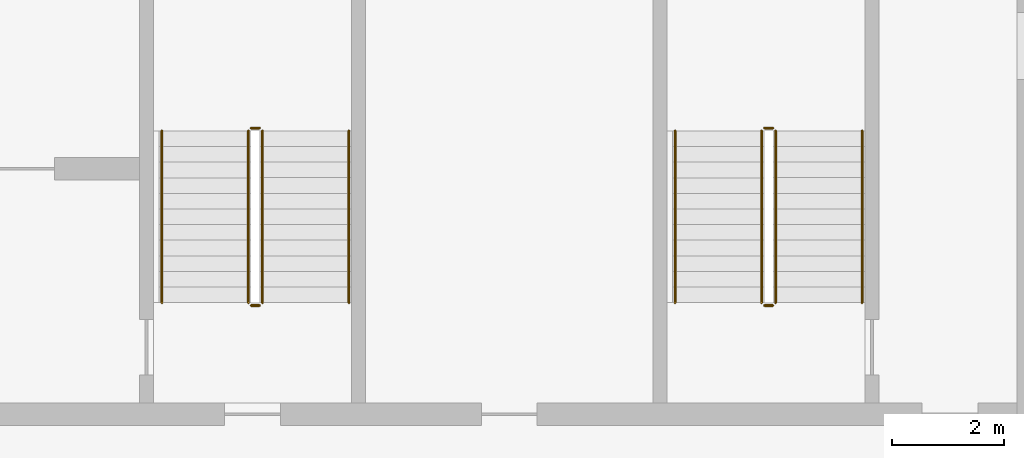
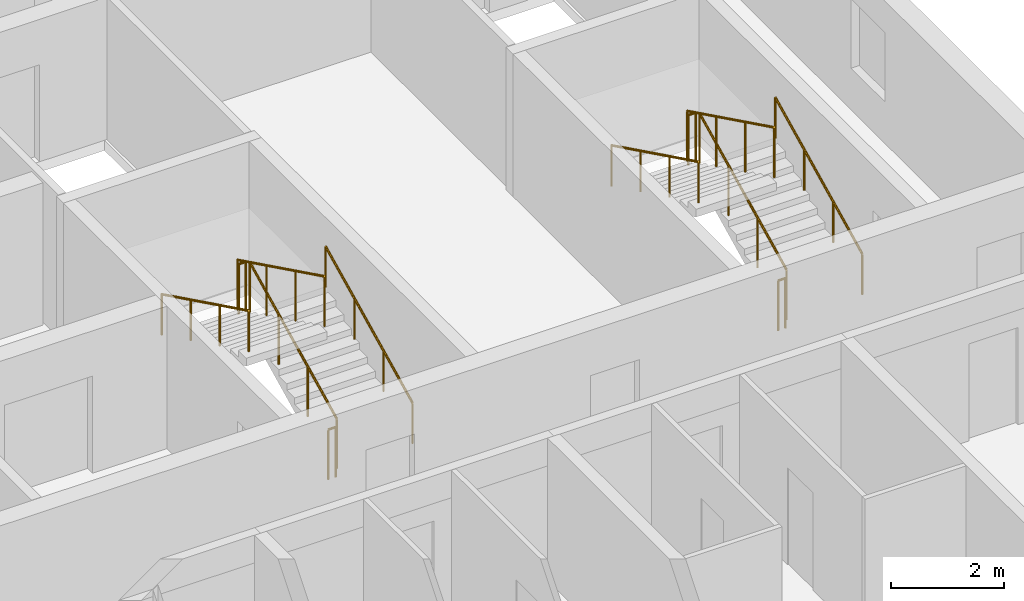
# One storey, part 14 of 26: 12 railings.
"""IFC4 building model written with IfcOpenShell, lengths in metres."""

from ifc_helpers import new_model, si_unit, direction, frame, origin, origin_2d, place, context, subcontext, project, spatial, circle, extrude, material, type_object, element, save


model = new_model("IFC4")

# Units and contexts
model_context = context("Model", 3, precision=1e-05, world=origin(), true_north=direction((0.0, 1.0)))
body_context = subcontext(model_context, "Body", "Model", "MODEL_VIEW")
ifc_project = project(units=[si_unit("LENGTHUNIT", "METRE"), si_unit("AREAUNIT", "SQUARE_METRE"), si_unit("VOLUMEUNIT", "CUBIC_METRE"), si_unit("PLANEANGLEUNIT", "RADIAN"), si_unit("MASSUNIT", "GRAM", prefix="KILO")], contexts=[model_context])

# Site, building, storey
site_placement = place(None, origin())
site = spatial("IfcSite", under=ifc_project, at=site_placement, CompositionType="ELEMENT")
building_placement = place(site_placement, origin())
building = spatial("IfcBuilding", under=site, at=building_placement, Name="Poui Terraces", CompositionType="ELEMENT")
storey_placement = place(building_placement, frame((0.0, 0.0, 171.89990234375)))
storey = spatial("IfcBuildingStorey", under=building, at=storey_placement, Name="L47", CompositionType="ELEMENT", Elevation=171.89990234375)

# Railings
ifc_material_1 = material(Name="Galvanised steel balustrade", Category="steel")
railing_type_1 = type_object("IfcRailingType", Name="STAIR GUARD 1100", PredefinedType="GUARDRAIL", material=ifc_material_1)
railing_1_placement = place(storey_placement, frame((70.27490234375, 16.60009765625, 0.1376953125)))
element("IfcRailing", 1, at=railing_1_placement, inside=storey, type_object=railing_type_1, Name="L47 ST-CE stair guard 1", PredefinedType="GUARDRAIL", context=body_context, shape_type="SweptSolid", body=[
    extrude(circle(Radius=0.02392578125, at=origin_2d()), frame((0.0, 0.0, 1.076171875), z_axis=(0.0, 0.897606190399, 0.440798283751), x_axis=(-1.0, 0.0, 0.0)), (0.0, 0.0, 1.0), 3.43115234375),
    extrude(circle(Radius=0.02099609375, at=origin_2d()), origin(), (0.0, 0.0, 1.0), 1.052001953125),
    extrude(circle(Radius=0.02099609375, at=origin_2d()), frame((0.0, 1.026611328125, 0.504150390625)), (0.0, 0.0, 1.0), 1.052001953125),
    extrude(circle(Radius=0.02099609375, at=origin_2d()), frame((0.0, 2.05322265625, 1.00830078125)), (0.0, 0.0, 1.0), 1.052001953125),
    extrude(circle(Radius=0.02099609375, at=origin_2d()), frame((0.0, 3.079833984375, 1.512451171875)), (0.0, 0.0, 1.0), 1.052001953125),
])
railing_2_placement = place(storey_placement, frame((70.22509765625, 19.72998046875, 1.650146484375)))
element("IfcRailing", 2, at=railing_2_placement, inside=storey, type_object=railing_type_1, Name="L47 ST-CE stair guard 2", PredefinedType="GUARDRAIL", context=body_context, shape_type="SweptSolid", body=[
    extrude(circle(Radius=0.02392578125, at=origin_2d()), frame((0.0, 0.0, 1.076171875), z_axis=(-1.0, 0.0, 0.0), x_axis=(0.0, -1.0, 0.0)), (0.0, 0.0, 1.0), 0.150146484375),
    extrude(circle(Radius=0.02099609375, at=origin_2d()), origin(), (0.0, 0.0, 1.0), 1.052001953125),
    extrude(circle(Radius=0.02099609375, at=origin_2d()), frame((-0.150146484375, 0.0, 0.0)), (0.0, 0.0, 1.0), 1.052001953125),
])
railing_3_placement = place(storey_placement, frame((70.02490234375, 19.679931640625, 1.78759765625)))
element("IfcRailing", 3, at=railing_3_placement, inside=storey, type_object=railing_type_1, Name="L47 ST-CE stair guard 3", PredefinedType="GUARDRAIL", context=body_context, shape_type="SweptSolid", body=[
    extrude(circle(Radius=0.02392578125, at=origin_2d()), frame((0.0, 0.0, 1.076171875), z_axis=(0.0, -0.897606190399, 0.440798283751), x_axis=(1.0, 0.0, 0.0)), (0.0, 0.0, 1.0), 3.43115234375),
    extrude(circle(Radius=0.02099609375, at=origin_2d()), origin(), (0.0, 0.0, 1.0), 1.052001953125),
    extrude(circle(Radius=0.02099609375, at=origin_2d()), frame((0.0, -1.026611328125, 0.504150390625)), (0.0, 0.0, 1.0), 1.052001953125),
    extrude(circle(Radius=0.02099609375, at=origin_2d()), frame((0.0, -2.05322265625, 1.00830078125)), (0.0, 0.0, 1.0), 1.052001953125),
    extrude(circle(Radius=0.02099609375, at=origin_2d()), frame((0.0, -3.079833984375, 1.512451171875)), (0.0, 0.0, 1.0), 1.052001953125),
])
railing_4_placement = place(storey_placement, frame((70.22509765625, 16.550048828125, 0.0)))
element("IfcRailing", 4, at=railing_4_placement, inside=storey, type_object=railing_type_1, Name="L47 ST-CE stair guard 4", PredefinedType="GUARDRAIL", context=body_context, shape_type="SweptSolid", body=[
    extrude(circle(Radius=0.02392578125, at=origin_2d()), frame((0.0, 0.0, 1.076171875), z_axis=(-1.0, 0.0, 0.0), x_axis=(0.0, -1.0, 0.0)), (0.0, 0.0, 1.0), 0.150146484375),
    extrude(circle(Radius=0.02099609375, at=origin_2d()), origin(), (0.0, 0.0, 1.0), 1.052001953125),
    extrude(circle(Radius=0.02099609375, at=origin_2d()), frame((-0.150146484375, 0.0, 0.0)), (0.0, 0.0, 1.0), 1.052001953125),
])
railing_5_placement = place(storey_placement, frame((79.47509765625, 16.60009765625, 0.1376953125)))
element("IfcRailing", 5, at=railing_5_placement, inside=storey, type_object=railing_type_1, Name="L47 ST-E stair guard 1", PredefinedType="GUARDRAIL", context=body_context, shape_type="SweptSolid", body=[
    extrude(circle(Radius=0.02392578125, at=origin_2d()), frame((0.0, 0.0, 1.076171875), z_axis=(0.0, 0.897606190399, 0.440798283751), x_axis=(-1.0, 0.0, 0.0)), (0.0, 0.0, 1.0), 3.43115234375),
    extrude(circle(Radius=0.02099609375, at=origin_2d()), origin(), (0.0, 0.0, 1.0), 1.052001953125),
    extrude(circle(Radius=0.02099609375, at=origin_2d()), frame((0.0, 1.026611328125, 0.504150390625)), (0.0, 0.0, 1.0), 1.052001953125),
    extrude(circle(Radius=0.02099609375, at=origin_2d()), frame((0.0, 2.05322265625, 1.00830078125)), (0.0, 0.0, 1.0), 1.052001953125),
    extrude(circle(Radius=0.02099609375, at=origin_2d()), frame((0.0, 3.079833984375, 1.512451171875)), (0.0, 0.0, 1.0), 1.052001953125),
])
railing_6_placement = place(storey_placement, frame((79.425048828125, 19.72998046875, 1.650146484375)))
element("IfcRailing", 6, at=railing_6_placement, inside=storey, type_object=railing_type_1, Name="L47 ST-E stair guard 2", PredefinedType="GUARDRAIL", context=body_context, shape_type="SweptSolid", body=[
    extrude(circle(Radius=0.02392578125, at=origin_2d()), frame((0.0, 0.0, 1.076171875), z_axis=(-1.0, 0.0, 0.0), x_axis=(0.0, -1.0, 0.0)), (0.0, 0.0, 1.0), 0.150146484375),
    extrude(circle(Radius=0.02099609375, at=origin_2d()), origin(), (0.0, 0.0, 1.0), 1.052001953125),
    extrude(circle(Radius=0.02099609375, at=origin_2d()), frame((-0.150146484375, 0.0, 0.0)), (0.0, 0.0, 1.0), 1.052001953125),
])
railing_7_placement = place(storey_placement, frame((79.22509765625, 19.679931640625, 1.78759765625)))
element("IfcRailing", 7, at=railing_7_placement, inside=storey, type_object=railing_type_1, Name="L47 ST-E stair guard 3", PredefinedType="GUARDRAIL", context=body_context, shape_type="SweptSolid", body=[
    extrude(circle(Radius=0.02392578125, at=origin_2d()), frame((0.0, 0.0, 1.076171875), z_axis=(0.0, -0.897606190399, 0.440798283751), x_axis=(1.0, 0.0, 0.0)), (0.0, 0.0, 1.0), 3.43115234375),
    extrude(circle(Radius=0.02099609375, at=origin_2d()), origin(), (0.0, 0.0, 1.0), 1.052001953125),
    extrude(circle(Radius=0.02099609375, at=origin_2d()), frame((0.0, -1.026611328125, 0.504150390625)), (0.0, 0.0, 1.0), 1.052001953125),
    extrude(circle(Radius=0.02099609375, at=origin_2d()), frame((0.0, -2.05322265625, 1.00830078125)), (0.0, 0.0, 1.0), 1.052001953125),
    extrude(circle(Radius=0.02099609375, at=origin_2d()), frame((0.0, -3.079833984375, 1.512451171875)), (0.0, 0.0, 1.0), 1.052001953125),
])
railing_8_placement = place(storey_placement, frame((79.425048828125, 16.550048828125, 0.0)))
element("IfcRailing", 8, at=railing_8_placement, inside=storey, type_object=railing_type_1, Name="L47 ST-E stair guard 4", PredefinedType="GUARDRAIL", context=body_context, shape_type="SweptSolid", body=[
    extrude(circle(Radius=0.02392578125, at=origin_2d()), frame((0.0, 0.0, 1.076171875), z_axis=(-1.0, 0.0, 0.0), x_axis=(0.0, -1.0, 0.0)), (0.0, 0.0, 1.0), 0.150146484375),
    extrude(circle(Radius=0.02099609375, at=origin_2d()), origin(), (0.0, 0.0, 1.0), 1.052001953125),
    extrude(circle(Radius=0.02099609375, at=origin_2d()), frame((-0.150146484375, 0.0, 0.0)), (0.0, 0.0, 1.0), 1.052001953125),
])
ifc_material_2 = material(Name="Stainless steel handrail", Category="steel")
railing_type_2 = type_object("IfcRailingType", Name="STAIR HANDRAIL 900", PredefinedType="HANDRAIL", material=ifc_material_2)
railing_9_placement = place(storey_placement, frame((71.824951171875, 16.60009765625, 0.1376953125)))
element("IfcRailing", 9, at=railing_9_placement, inside=storey, type_object=railing_type_2, Name="L47 ST-CE stair handrail 1", PredefinedType="HANDRAIL", context=body_context, shape_type="SweptSolid", body=[
    extrude(circle(Radius=0.02392578125, at=origin_2d()), frame((0.0, 0.0, 0.8759765625), z_axis=(0.0, 0.897606190399, 0.440798283751), x_axis=(-1.0, 0.0, 0.0)), (0.0, 0.0, 1.0), 3.43115234375),
    extrude(circle(Radius=0.02099609375, at=origin_2d()), origin(), (0.0, 0.0, 1.0), 0.851806640625),
    extrude(circle(Radius=0.02099609375, at=origin_2d()), frame((0.0, 1.026611328125, 0.504150390625)), (0.0, 0.0, 1.0), 0.851806640625),
    extrude(circle(Radius=0.02099609375, at=origin_2d()), frame((0.0, 2.05322265625, 1.00830078125)), (0.0, 0.0, 1.0), 0.851806640625),
    extrude(circle(Radius=0.02099609375, at=origin_2d()), frame((0.0, 3.079833984375, 1.512451171875)), (0.0, 0.0, 1.0), 0.851806640625),
])
railing_10_placement = place(storey_placement, frame((68.47509765625, 19.679931640625, 1.78759765625)))
element("IfcRailing", 10, at=railing_10_placement, inside=storey, type_object=railing_type_2, Name="L47 ST-CE stair handrail 2", PredefinedType="HANDRAIL", context=body_context, shape_type="SweptSolid", body=[
    extrude(circle(Radius=0.02392578125, at=origin_2d()), frame((0.0, 0.0, 0.8759765625), z_axis=(0.0, -0.897606190399, 0.440798283751), x_axis=(1.0, 0.0, 0.0)), (0.0, 0.0, 1.0), 3.43115234375),
    extrude(circle(Radius=0.02099609375, at=origin_2d()), origin(), (0.0, 0.0, 1.0), 0.851806640625),
    extrude(circle(Radius=0.02099609375, at=origin_2d()), frame((0.0, -1.026611328125, 0.504150390625)), (0.0, 0.0, 1.0), 0.851806640625),
    extrude(circle(Radius=0.02099609375, at=origin_2d()), frame((0.0, -2.05322265625, 1.00830078125)), (0.0, 0.0, 1.0), 0.851806640625),
    extrude(circle(Radius=0.02099609375, at=origin_2d()), frame((0.0, -3.079833984375, 1.512451171875)), (0.0, 0.0, 1.0), 0.851806640625),
])
railing_11_placement = place(storey_placement, frame((81.02490234375, 16.60009765625, 0.1376953125)))
element("IfcRailing", 11, at=railing_11_placement, inside=storey, type_object=railing_type_2, Name="L47 ST-E stair handrail 1", PredefinedType="HANDRAIL", context=body_context, shape_type="SweptSolid", body=[
    extrude(circle(Radius=0.02392578125, at=origin_2d()), frame((0.0, 0.0, 0.8759765625), z_axis=(0.0, 0.897606190399, 0.440798283751), x_axis=(-1.0, 0.0, 0.0)), (0.0, 0.0, 1.0), 3.43115234375),
    extrude(circle(Radius=0.02099609375, at=origin_2d()), origin(), (0.0, 0.0, 1.0), 0.851806640625),
    extrude(circle(Radius=0.02099609375, at=origin_2d()), frame((0.0, 1.026611328125, 0.504150390625)), (0.0, 0.0, 1.0), 0.851806640625),
    extrude(circle(Radius=0.02099609375, at=origin_2d()), frame((0.0, 2.05322265625, 1.00830078125)), (0.0, 0.0, 1.0), 0.851806640625),
    extrude(circle(Radius=0.02099609375, at=origin_2d()), frame((0.0, 3.079833984375, 1.512451171875)), (0.0, 0.0, 1.0), 0.851806640625),
])
railing_12_placement = place(storey_placement, frame((77.675048828125, 19.679931640625, 1.78759765625)))
element("IfcRailing", 12, at=railing_12_placement, inside=storey, type_object=railing_type_2, Name="L47 ST-E stair handrail 2", PredefinedType="HANDRAIL", context=body_context, shape_type="SweptSolid", body=[
    extrude(circle(Radius=0.02392578125, at=origin_2d()), frame((0.0, 0.0, 0.8759765625), z_axis=(0.0, -0.897606190399, 0.440798283751), x_axis=(1.0, 0.0, 0.0)), (0.0, 0.0, 1.0), 3.43115234375),
    extrude(circle(Radius=0.02099609375, at=origin_2d()), origin(), (0.0, 0.0, 1.0), 0.851806640625),
    extrude(circle(Radius=0.02099609375, at=origin_2d()), frame((0.0, -1.026611328125, 0.504150390625)), (0.0, 0.0, 1.0), 0.851806640625),
    extrude(circle(Radius=0.02099609375, at=origin_2d()), frame((0.0, -2.05322265625, 1.00830078125)), (0.0, 0.0, 1.0), 0.851806640625),
    extrude(circle(Radius=0.02099609375, at=origin_2d()), frame((0.0, -3.079833984375, 1.512451171875)), (0.0, 0.0, 1.0), 0.851806640625),
])

save(model, "model.ifc")
